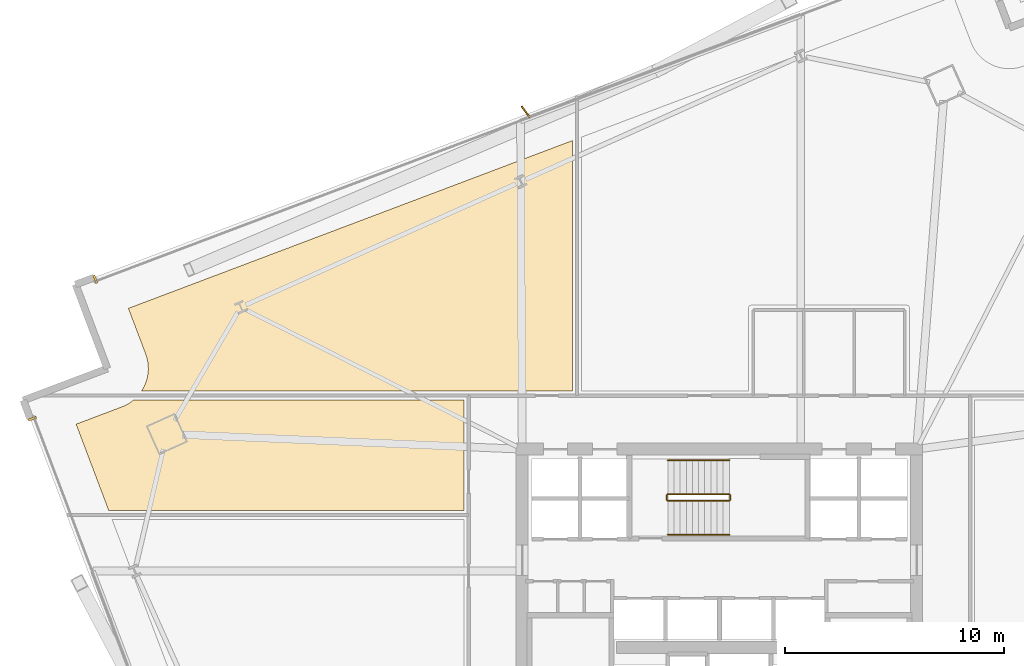
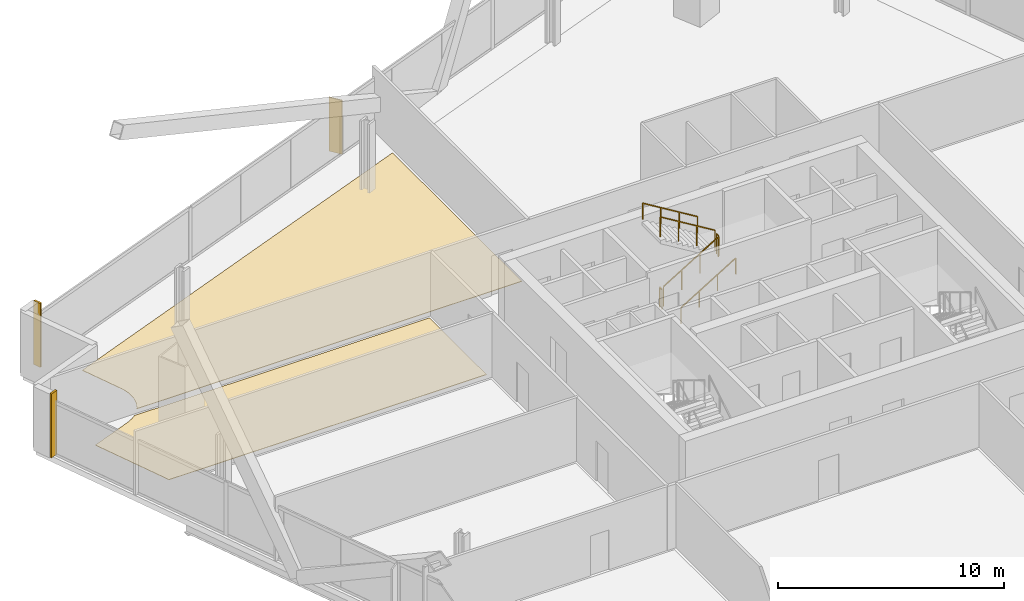
# One storey, part 36 of 37: 6 railings, 4 coverings, 1 shading device.
"""IFC4 building model written with IfcOpenShell, lengths in metres."""

from ifc_helpers import new_model, si_unit, direction, frame, origin, origin_2d, place, context, subcontext, project, spatial, polyline, rectangle, outline, extrude, source, transform, mapped, material, layer, layer_set, type_object, element, save


model = new_model("IFC4")

# Units and contexts
model_context = context("Model", 3, precision=1e-05, world=origin(), true_north=direction((0.0, 1.0)))
body_context = subcontext(model_context, "Body", "Model", "MODEL_VIEW")
ifc_project = project(units=[si_unit("LENGTHUNIT", "METRE"), si_unit("AREAUNIT", "SQUARE_METRE"), si_unit("VOLUMEUNIT", "CUBIC_METRE"), si_unit("PLANEANGLEUNIT", "RADIAN"), si_unit("MASSUNIT", "GRAM", prefix="KILO")], contexts=[model_context])

# Site, building, storey
site_placement = place(None, origin())
site = spatial("IfcSite", under=ifc_project, at=site_placement, CompositionType="ELEMENT")
building_placement = place(site_placement, origin())
building = spatial("IfcBuilding", under=site, at=building_placement, Name="Haldenkirk Collegiate Tower", CompositionType="ELEMENT")
storey_placement = place(building_placement, frame((0.0, 0.0, 97.949951171875)))
storey = spatial("IfcBuildingStorey", under=building, at=storey_placement, Name="L23", CompositionType="ELEMENT", Elevation=97.949951171875)

# Coverings
ifc_material_1 = material(Name="Polished collegiate terrazzo", Category="concrete")
ifc_layer_1 = layer(ifc_material_1, 0.02490234375)
ifc_layer_set_1 = layer_set([ifc_layer_1], Name="Polished collegiate terrazzo")
covering_type_1 = type_object("IfcCoveringType", Name="COV-FLOOR-TERRAZZO", PredefinedType="FLOORING", material=ifc_layer_set_1)
covering_1_placement = place(storey_placement, origin())
element("IfcCovering", 1, at=covering_1_placement, inside=storey, type_object=covering_type_1, Name="L23 academic room finish 06", PredefinedType="FLOORING", context=body_context, shape_type="SweptSolid", body=[
    extrude(outline(polyline([(9.6259765625, 36.64990234375), (9.685546875, 36.742919921875), (9.69140625, 36.753173828125), (9.769775390625, 36.906005859375), (9.774658203125, 36.916748046875), (9.837646484375, 37.076416015625), (9.84130859375, 37.087646484375), (9.88818359375, 37.2529296875), (9.890869140625, 37.264404296875), (9.92138671875, 37.433349609375), (9.9228515625, 37.445068359375), (9.936767578125, 37.6162109375), (9.93701171875, 37.6279296875), (9.93408203125, 37.7998046875), (9.933349609375, 37.8115234375), (9.913330078125, 37.98193359375), (9.91162109375, 37.993408203125), (9.875, 38.161376953125), (9.8720703125, 38.1728515625), (9.819091796875, 38.336181640625), (9.8173828125, 38.341796875), (9.029052734375, 40.427978515625), (29.300048828125, 48.087646484375), (29.300048828125, 36.64990234375), (9.6259765625, 36.64990234375)])), origin(), (0.0, 0.0, 1.0), 0.025146484375),
])
covering_2_placement = place(storey_placement, origin())
element("IfcCovering", 2, at=covering_2_placement, inside=storey, type_object=covering_type_1, Name="L23 academic room finish 10", PredefinedType="FLOORING", context=body_context, shape_type="SweptSolid", body=[
    extrude(outline(polyline([(8.72900390625, 35.931396484375), (8.734619140625, 35.933837890625), (8.89208984375, 36.002197265625), (8.902587890625, 36.007568359375), (9.052490234375, 36.091064453125), (9.0625, 36.097412109375), (9.20361328125, 36.1953125), (9.212890625, 36.202392578125), (9.268798828125, 36.25), (24.35009765625, 36.25), (24.35009765625, 31.199951171875), (8.1328125, 31.199951171875), (6.642822265625, 35.143310546875), (8.72900390625, 35.931396484375)])), origin(), (0.0, 0.0, 1.0), 0.025146484375),
])

# Railings
ifc_material_2 = material(Name="Painted architectural tubular steel", Category="steel")
railing_type_1 = type_object("IfcRailingType", Name="RLG-STAIR-GUARD-1100", PredefinedType="BALUSTRADE", material=ifc_material_2)
railing_1_placement = place(storey_placement, frame((33.64990234375, 31.64990234375, 0.17041015625)))
element("IfcRailing", 3, at=railing_1_placement, inside=storey, type_object=railing_type_1, Name="L23 ST-3 stair guard 1", PredefinedType="BALUSTRADE", context=body_context, shape_type="SweptSolid", body=[
    extrude(rectangle(XDim=0.048095703125, YDim=0.048095703125, at=origin_2d()), frame((0.0, 0.0, 1.076171875), z_axis=(0.854169791009, 0.0, 0.51999420009), x_axis=(0.0, 1.0, 0.0)), (0.0, 0.0, 1.0), 3.278076171875),
    extrude(rectangle(XDim=0.0419921875, YDim=0.0419921875, at=origin_2d()), origin(), (0.0, 0.0, 1.0), 1.052001953125),
    extrude(rectangle(XDim=0.0419921875, YDim=0.0419921875, at=origin_2d()), frame((0.933349609375, 0.0, 0.568115234375)), (0.0, 0.0, 1.0), 1.052001953125),
    extrude(rectangle(XDim=0.0419921875, YDim=0.0419921875, at=origin_2d()), frame((1.86669921875, 0.0, 1.136474609375)), (0.0, 0.0, 1.0), 1.052001953125),
    extrude(rectangle(XDim=0.0419921875, YDim=0.0419921875, at=origin_2d()), frame((2.800048828125, 0.0, 1.70458984375)), (0.0, 0.0, 1.0), 1.052001953125),
])
railing_2_placement = place(storey_placement, frame((36.5, 31.699951171875, 1.875)))
element("IfcRailing", 4, at=railing_2_placement, inside=storey, type_object=railing_type_1, Name="L23 ST-3 stair guard 2", PredefinedType="BALUSTRADE", context=body_context, shape_type="SweptSolid", body=[
    extrude(rectangle(XDim=0.048095703125, YDim=0.048095703125, at=origin_2d()), frame((0.0, 0.0, 1.076171875), z_axis=(0.0, 1.0, 0.0), x_axis=(-1.0, 0.0, 0.0)), (0.0, 0.0, 1.0), 0.199951171875),
    extrude(rectangle(XDim=0.0419921875, YDim=0.0419921875, at=origin_2d()), origin(), (0.0, 0.0, 1.0), 1.052001953125),
    extrude(rectangle(XDim=0.0419921875, YDim=0.0419921875, at=origin_2d()), frame((0.0, 0.199951171875, 0.0)), (0.0, 0.0, 1.0), 1.052001953125),
])
railing_3_placement = place(storey_placement, frame((36.449951171875, 31.949951171875, 2.04541015625)))
element("IfcRailing", 5, at=railing_3_placement, inside=storey, type_object=railing_type_1, Name="L23 ST-3 stair guard 3", PredefinedType="BALUSTRADE", context=body_context, shape_type="SweptSolid", body=[
    extrude(rectangle(XDim=0.048095703125, YDim=0.048095703125, at=origin_2d()), frame((0.0, 0.0, 1.076171875), z_axis=(-0.854169791009, 0.0, 0.51999420009), x_axis=(0.0, -1.0, 0.0)), (0.0, 0.0, 1.0), 3.278076171875),
    extrude(rectangle(XDim=0.0419921875, YDim=0.0419921875, at=origin_2d()), origin(), (0.0, 0.0, 1.0), 1.052001953125),
    extrude(rectangle(XDim=0.0419921875, YDim=0.0419921875, at=origin_2d()), frame((-0.933349609375, 0.0, 0.568115234375)), (0.0, 0.0, 1.0), 1.052001953125),
    extrude(rectangle(XDim=0.0419921875, YDim=0.0419921875, at=origin_2d()), frame((-1.86669921875, 0.0, 1.136474609375)), (0.0, 0.0, 1.0), 1.052001953125),
    extrude(rectangle(XDim=0.0419921875, YDim=0.0419921875, at=origin_2d()), frame((-2.800048828125, 0.0, 1.70458984375)), (0.0, 0.0, 1.0), 1.052001953125),
])
railing_4_placement = place(storey_placement, frame((33.60009765625, 31.699951171875, 0.0)))
element("IfcRailing", 6, at=railing_4_placement, inside=storey, type_object=railing_type_1, Name="L23 ST-3 stair guard 4", PredefinedType="BALUSTRADE", context=body_context, shape_type="SweptSolid", body=[
    extrude(rectangle(XDim=0.048095703125, YDim=0.048095703125, at=origin_2d()), frame((0.0, 0.0, 1.076171875), z_axis=(0.0, 1.0, 0.0), x_axis=(-1.0, 0.0, 0.0)), (0.0, 0.0, 1.0), 0.199951171875),
    extrude(rectangle(XDim=0.0419921875, YDim=0.0419921875, at=origin_2d()), origin(), (0.0, 0.0, 1.0), 1.052001953125),
    extrude(rectangle(XDim=0.0419921875, YDim=0.0419921875, at=origin_2d()), frame((0.0, 0.199951171875, 0.0)), (0.0, 0.0, 1.0), 1.052001953125),
])
railing_type_2 = type_object("IfcRailingType", Name="RLG-STAIR-HANDRAIL-900", PredefinedType="HANDRAIL", material=ifc_material_2)
railing_5_placement = place(storey_placement, frame((33.64990234375, 30.10009765625, 0.17041015625)))
element("IfcRailing", 7, at=railing_5_placement, inside=storey, type_object=railing_type_2, Name="L23 ST-3 stair handrail 1", PredefinedType="HANDRAIL", context=body_context, shape_type="SweptSolid", body=[
    extrude(rectangle(XDim=0.048095703125, YDim=0.048095703125, at=origin_2d()), frame((0.0, 0.0, 0.8759765625), z_axis=(0.854169791009, 0.0, 0.51999420009), x_axis=(0.0, 1.0, 0.0)), (0.0, 0.0, 1.0), 3.278076171875),
    extrude(rectangle(XDim=0.0419921875, YDim=0.0419921875, at=origin_2d()), origin(), (0.0, 0.0, 1.0), 0.851806640625),
    extrude(rectangle(XDim=0.0419921875, YDim=0.0419921875, at=origin_2d()), frame((0.933349609375, 0.0, 0.568115234375)), (0.0, 0.0, 1.0), 0.851806640625),
    extrude(rectangle(XDim=0.0419921875, YDim=0.0419921875, at=origin_2d()), frame((1.86669921875, 0.0, 1.136474609375)), (0.0, 0.0, 1.0), 0.851806640625),
    extrude(rectangle(XDim=0.0419921875, YDim=0.0419921875, at=origin_2d()), frame((2.800048828125, 0.0, 1.70458984375)), (0.0, 0.0, 1.0), 0.851806640625),
])
railing_6_placement = place(storey_placement, frame((36.449951171875, 33.5, 2.04541015625)))
element("IfcRailing", 8, at=railing_6_placement, inside=storey, type_object=railing_type_2, Name="L23 ST-3 stair handrail 2", PredefinedType="HANDRAIL", context=body_context, shape_type="SweptSolid", body=[
    extrude(rectangle(XDim=0.048095703125, YDim=0.048095703125, at=origin_2d()), frame((0.0, 0.0, 0.8759765625), z_axis=(-0.854169791009, 0.0, 0.51999420009), x_axis=(0.0, -1.0, 0.0)), (0.0, 0.0, 1.0), 3.278076171875),
    extrude(rectangle(XDim=0.0419921875, YDim=0.0419921875, at=origin_2d()), origin(), (0.0, 0.0, 1.0), 0.851806640625),
    extrude(rectangle(XDim=0.0419921875, YDim=0.0419921875, at=origin_2d()), frame((-0.933349609375, 0.0, 0.568115234375)), (0.0, 0.0, 1.0), 0.851806640625),
    extrude(rectangle(XDim=0.0419921875, YDim=0.0419921875, at=origin_2d()), frame((-1.86669921875, 0.0, 1.136474609375)), (0.0, 0.0, 1.0), 0.851806640625),
    extrude(rectangle(XDim=0.0419921875, YDim=0.0419921875, at=origin_2d()), frame((-2.800048828125, 0.0, 1.70458984375)), (0.0, 0.0, 1.0), 0.851806640625),
])

# Coverings
ifc_material_3 = material(Name="Anodised architectural bronze aluminium", Category="aluminium")
ifc_layer_2 = layer(ifc_material_3, 0.06005859375)
ifc_layer_set_2 = layer_set([ifc_layer_2], Name="Anodised architectural bronze aluminium")
covering_type_2 = type_object("IfcCoveringType", Name="COV-CLAD-BRONZE-60", PredefinedType="CLADDING", material=ifc_layer_set_2)
shared_shape_1 = source(origin(), body_context, "Body", "SweptSolid", [
    extrude(rectangle(XDim=0.10009765625, YDim=0.3798828125, at=origin_2d()), origin(), (0.0, 0.0, 1.0), 3.449951171875),
])
for number, where, z_axis, x_axis, name in (
    (9, (7.5205078125, 41.760498046875, 0.0), (0.0, 0.0, 1.0), (0.93544403083, 0.353474843779, 0.0), "L23 recessed curtain-wall bronze jamb closure NJL"),
    (10, (4.6455078125, 35.393310546875, 0.0), (0.0, 0.0, 1.0), (-0.353474843779, 0.93544403083, 0.0), "L23 recessed curtain-wall bronze jamb closure WJR"),
):
    element("IfcCovering", number, at=place(storey_placement, frame(where, z_axis=z_axis, x_axis=x_axis)), inside=storey, type_object=covering_type_2, Name=name, PredefinedType="CLADDING", context=body_context, shape_type="MappedRepresentation", body=[
        mapped(shared_shape_1, transform((0.0, 0.0, 0.0), x_axis=(1.0, 0.0, 0.0), y_axis=(0.0, 1.0, 0.0), z_axis=(0.0, 0.0, 1.0), scale=1.0)),
    ])

# Shading device
ifc_layer_3 = layer(ifc_material_3, 0.06494140625)
ifc_layer_set_3 = layer_set([ifc_layer_3], Name="Anodised architectural bronze aluminium")
shading_device_type = type_object("IfcShadingDeviceType", Name="SHD-FIN-BRONZE-620", PredefinedType="USERDEFINED", material=ifc_layer_set_3)
shared_shape_2 = source(origin(), body_context, "Body", "SweptSolid", [
    extrude(rectangle(XDim=0.6201171875, YDim=0.06494140625, at=origin_2d()), origin(), (0.0, 0.0, 1.0), 2.90087890625),
])
shading_device_placement = place(storey_placement, frame((27.15771484375, 49.400146484375, 0.0), z_axis=(0.0, 0.0, 1.0), x_axis=(-0.597625146976, 0.801775644244, 0.0)))
element("IfcShadingDevice", 11, at=shading_device_placement, inside=storey, type_object=shading_device_type, Name="L23 folded bronze solar fin 1", ObjectType="FIN", PredefinedType="USERDEFINED", context=body_context, shape_type="MappedRepresentation", body=[
    mapped(shared_shape_2, transform((0.0, 0.0, 0.0), x_axis=(1.0, 0.0, 0.0), y_axis=(0.0, 1.0, 0.0), z_axis=(0.0, 0.0, 1.0), scale=1.0)),
])

save(model, "model.ifc")
